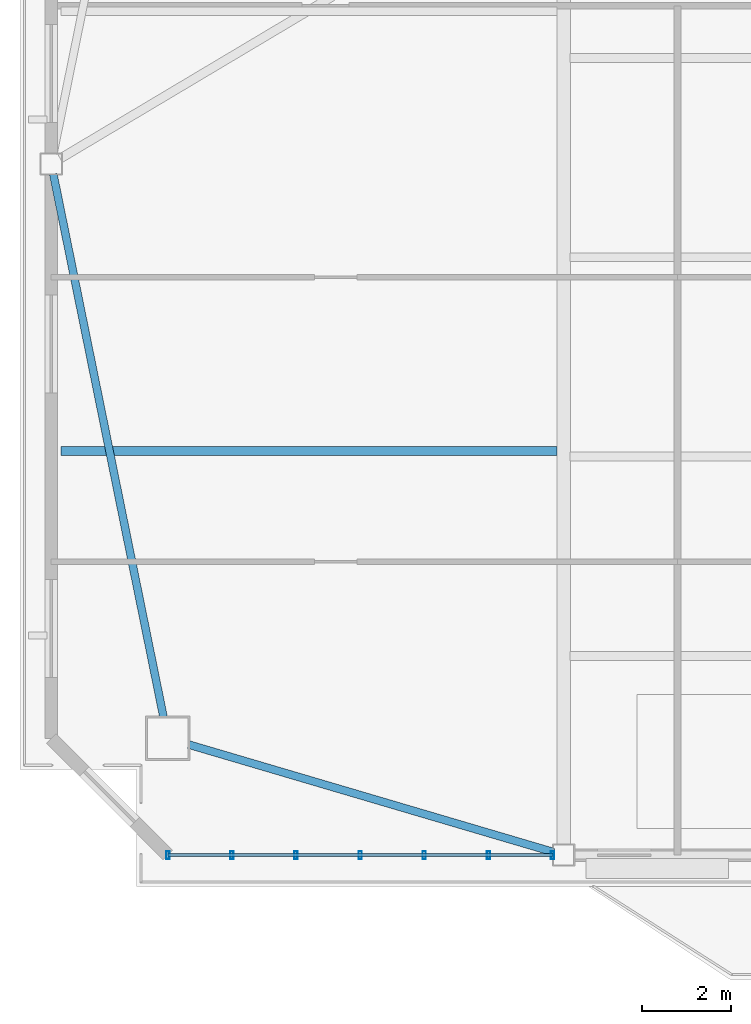
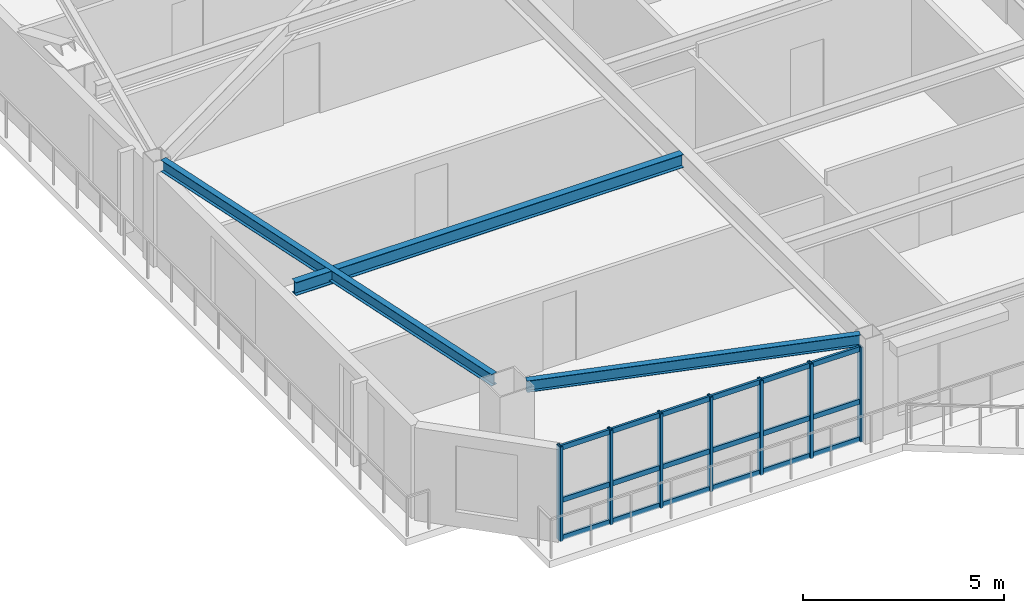
# One storey, part 2 of 17: 10 members, 3 beams, 1 element without a shape of its own.
"""IFC4 building model written with IfcOpenShell, lengths in metres."""

from ifc_helpers import new_model, si_unit, direction, frame, origin, origin_2d, place, context, subcontext, project, spatial, hollow_rectangle, i_section, extrude, source, transform, mapped, material, layer, layer_set, material_profile, profile_set, type_object, element, aggregate, save


model = new_model("IFC4")

# Units and contexts
model_context = context("Model", 3, precision=1e-05, world=origin(), true_north=direction((0.0, 1.0)))
body_context = subcontext(model_context, "Body", "Model", "MODEL_VIEW")
ifc_project = project(units=[si_unit("LENGTHUNIT", "METRE"), si_unit("AREAUNIT", "SQUARE_METRE"), si_unit("VOLUMEUNIT", "CUBIC_METRE"), si_unit("PLANEANGLEUNIT", "RADIAN"), si_unit("MASSUNIT", "GRAM", prefix="KILO")], contexts=[model_context])

# Site, building, storey
site_placement = place(None, origin())
site = spatial("IfcSite", under=ifc_project, at=site_placement, CompositionType="ELEMENT")
building_placement = place(site_placement, origin())
building = spatial("IfcBuilding", under=site, at=building_placement, Name="Giltprow Tower", CompositionType="ELEMENT")
storey_placement = place(building_placement, frame((0.0, 0.0, 248.5)))
storey = spatial("IfcBuildingStorey", under=building, at=storey_placement, Name="L63", CompositionType="ELEMENT", Elevation=248.5)

# Beams
ifc_material_1 = material(Name="Structural steel Q355B", Category="steel")
ifc_material_profile_1 = material_profile(ifc_material_1, i_section(OverallWidth=0.175048828125, OverallDepth=0.35009765625, WebThickness=0.007080078125, FlangeThickness=0.010986328125, at=origin_2d()), Name="HN 350x175x7x11")
ifc_profile_set_1 = profile_set([ifc_material_profile_1], Name="Structural steel Q355B")
beam_type_1 = type_object("IfcBeamType", Name="BM-SPAN-HN350", PredefinedType="SPANDREL", material=ifc_profile_set_1)
shared_shape_1 = source(origin(), body_context, "Body", "SweptSolid", [
    extrude(i_section(OverallWidth=0.175048828125, OverallDepth=0.35009765625, WebThickness=0.007080078125, FlangeThickness=0.010986328125, at=origin_2d()), origin(), (0.0, 0.0, 1.0), 8.529052734375),
])
beam_1_placement = place(storey_placement, frame((11.444091796875, 17.591064453125, 3.010009765625), z_axis=(0.959176127722, -0.282809398726, 0.0), x_axis=(0.282809398726, 0.959176127722, 0.0)))
element("IfcBeam", 1, at=beam_1_placement, inside=storey, type_object=beam_type_1, Name="L63 Perimeter Spandrel Beam MC_SW-S1", PredefinedType="SPANDREL", context=body_context, shape_type="MappedRepresentation", body=[
    mapped(shared_shape_1, transform((0.0, 0.0, 0.0), x_axis=(1.0, 0.0, 0.0), y_axis=(0.0, 1.0, 0.0), z_axis=(0.0, 0.0, 1.0), scale=1.0)),
])
shared_shape_2 = source(origin(), body_context, "Body", "SweptSolid", [
    extrude(i_section(OverallWidth=0.175048828125, OverallDepth=0.35009765625, WebThickness=0.007080078125, FlangeThickness=0.010986328125, at=origin_2d()), origin(), (0.0, 0.0, 1.0), 12.42236328125),
])
beam_2_placement = place(storey_placement, frame((8.410888671875, 30.376953125, 3.010009765625), z_axis=(0.198931044623, -0.98001348944, 0.0), x_axis=(0.98001348944, 0.198931044623, 0.0)))
element("IfcBeam", 2, at=beam_2_placement, inside=storey, type_object=beam_type_1, Name="L63 Perimeter Spandrel Beam W_MID-MC_SW", PredefinedType="SPANDREL", context=body_context, shape_type="MappedRepresentation", body=[
    mapped(shared_shape_2, transform((0.0, 0.0, 0.0), x_axis=(1.0, 0.0, 0.0), y_axis=(0.0, 1.0, 0.0), z_axis=(0.0, 0.0, 1.0), scale=1.0)),
])
ifc_material_profile_2 = material_profile(ifc_material_1, i_section(OverallWidth=0.199951171875, OverallDepth=0.39990234375, WebThickness=0.008056640625, FlangeThickness=0.012939453125, at=origin_2d()), Name="HN 400x200x8x13")
ifc_profile_set_2 = profile_set([ifc_material_profile_2], Name="Structural steel Q355B")
beam_type_2 = type_object("IfcBeamType", Name="BM-JOIST-HN400", PredefinedType="JOIST", material=ifc_profile_set_2)
shared_shape_3 = source(origin(), body_context, "Body", "SweptSolid", [
    extrude(i_section(OverallWidth=0.199951171875, OverallDepth=0.39990234375, WebThickness=0.008056640625, FlangeThickness=0.012939453125, at=origin_2d()), origin(), (0.0, 0.0, 1.0), 11.12109375),
])
beam_3_placement = place(storey_placement, frame((8.583984375, 24.16796875, 2.985107421875), z_axis=(1.0, 0.0, 0.0), x_axis=(0.0, 1.0, 0.0)))
element("IfcBeam", 3, at=beam_3_placement, inside=storey, type_object=beam_type_2, Name="L63 West Wing Floor Joist 1", PredefinedType="JOIST", context=body_context, shape_type="MappedRepresentation", body=[
    mapped(shared_shape_3, transform((0.0, 0.0, 0.0), x_axis=(1.0, 0.0, 0.0), y_axis=(0.0, 1.0, 0.0), z_axis=(0.0, 0.0, 1.0), scale=1.0)),
])

# Curtain wall, members
ifc_material_2 = material(Name="Anodized bronze", Category="metal")
ifc_layer = layer(ifc_material_2, 0.179931640625, Name="Anodized bronze")
ifc_layer_set = layer_set([ifc_layer], Name="Anodized bronze")
curtain_wall_type = type_object("IfcCurtainWallType", Name="CW-RES-SKY", PredefinedType="NOTDEFINED", material=ifc_layer_set)
curtain_wall_placement = place(storey_placement, origin())
curtain_wall = element("IfcCurtainWall", 4, at=curtain_wall_placement, inside=storey, type_object=curtain_wall_type, Name="L63 South Recessed Curtain Wall 1", PredefinedType="NOTDEFINED")
ifc_material_profile_3 = material_profile(ifc_material_2, hollow_rectangle(XDim=0.074951171875, YDim=0.179931640625, WallThickness=0.008056640625, at=origin_2d()), Name="RHS 180x75x8")
ifc_profile_set_3 = profile_set([ifc_material_profile_3], Name="Anodized bronze")
member_type_1 = type_object("IfcMemberType", Name="CW-MULLION-180x75", PredefinedType="MULLION", material=ifc_profile_set_3)
shared_shape_4 = source(origin(), body_context, "Body", "SweptSolid", [
    extrude(hollow_rectangle(XDim=0.074951171875, YDim=0.179931640625, WallThickness=0.008056640625, at=origin_2d()), origin(), (0.0, 0.0, 1.0), 2.8701171875),
])
member_1_placement = place(storey_placement, frame((10.97900390625, 15.113037109375, -0.02001953125), z_axis=(0.0, 0.0, 1.0), x_axis=(1.0, 0.0, 0.0)))
member_1 = element("IfcMember", 5, at=member_1_placement, type_object=member_type_1, Name="L63 South Recessed Curtain Wall 1 Mullion 1", PredefinedType="MULLION", context=body_context, shape_type="MappedRepresentation", body=[
    mapped(shared_shape_4, transform((0.0, 0.0, 0.0), x_axis=(1.0, 0.0, 0.0), y_axis=(0.0, 1.0, 0.0), z_axis=(0.0, 0.0, 1.0), scale=1.0)),
])
member_2_placement = place(storey_placement, frame((12.416015625, 15.113037109375, -0.02001953125), z_axis=(0.0, 0.0, 1.0), x_axis=(1.0, 0.0, 0.0)))
member_2 = element("IfcMember", 6, at=member_2_placement, type_object=member_type_1, Name="L63 South Recessed Curtain Wall 1 Mullion 2", PredefinedType="MULLION", context=body_context, shape_type="MappedRepresentation", body=[
    mapped(shared_shape_4, transform((0.0, 0.0, 0.0), x_axis=(1.0, 0.0, 0.0), y_axis=(0.0, 1.0, 0.0), z_axis=(0.0, 0.0, 1.0), scale=1.0)),
])
member_3_placement = place(storey_placement, frame((13.85302734375, 15.113037109375, -0.02001953125), z_axis=(0.0, 0.0, 1.0), x_axis=(1.0, 0.0, 0.0)))
member_3 = element("IfcMember", 7, at=member_3_placement, type_object=member_type_1, Name="L63 South Recessed Curtain Wall 1 Mullion 3", PredefinedType="MULLION", context=body_context, shape_type="MappedRepresentation", body=[
    mapped(shared_shape_4, transform((0.0, 0.0, 0.0), x_axis=(1.0, 0.0, 0.0), y_axis=(0.0, 1.0, 0.0), z_axis=(0.0, 0.0, 1.0), scale=1.0)),
])
member_4_placement = place(storey_placement, frame((15.2900390625, 15.113037109375, -0.02001953125), z_axis=(0.0, 0.0, 1.0), x_axis=(1.0, 0.0, 0.0)))
member_4 = element("IfcMember", 8, at=member_4_placement, type_object=member_type_1, Name="L63 South Recessed Curtain Wall 1 Mullion 4", PredefinedType="MULLION", context=body_context, shape_type="MappedRepresentation", body=[
    mapped(shared_shape_4, transform((0.0, 0.0, 0.0), x_axis=(1.0, 0.0, 0.0), y_axis=(0.0, 1.0, 0.0), z_axis=(0.0, 0.0, 1.0), scale=1.0)),
])
member_5_placement = place(storey_placement, frame((16.72607421875, 15.113037109375, -0.02001953125), z_axis=(0.0, 0.0, 1.0), x_axis=(1.0, 0.0, 0.0)))
member_5 = element("IfcMember", 9, at=member_5_placement, type_object=member_type_1, Name="L63 South Recessed Curtain Wall 1 Mullion 5", PredefinedType="MULLION", context=body_context, shape_type="MappedRepresentation", body=[
    mapped(shared_shape_4, transform((0.0, 0.0, 0.0), x_axis=(1.0, 0.0, 0.0), y_axis=(0.0, 1.0, 0.0), z_axis=(0.0, 0.0, 1.0), scale=1.0)),
])
member_6_placement = place(storey_placement, frame((18.1630859375, 15.113037109375, -0.02001953125), z_axis=(0.0, 0.0, 1.0), x_axis=(1.0, 0.0, 0.0)))
member_6 = element("IfcMember", 10, at=member_6_placement, type_object=member_type_1, Name="L63 South Recessed Curtain Wall 1 Mullion 6", PredefinedType="MULLION", context=body_context, shape_type="MappedRepresentation", body=[
    mapped(shared_shape_4, transform((0.0, 0.0, 0.0), x_axis=(1.0, 0.0, 0.0), y_axis=(0.0, 1.0, 0.0), z_axis=(0.0, 0.0, 1.0), scale=1.0)),
])
member_7_placement = place(storey_placement, frame((19.60009765625, 15.113037109375, -0.02001953125), z_axis=(0.0, 0.0, 1.0), x_axis=(1.0, 0.0, 0.0)))
member_7 = element("IfcMember", 11, at=member_7_placement, type_object=member_type_1, Name="L63 South Recessed Curtain Wall 1 Mullion 7", PredefinedType="MULLION", context=body_context, shape_type="MappedRepresentation", body=[
    mapped(shared_shape_4, transform((0.0, 0.0, 0.0), x_axis=(1.0, 0.0, 0.0), y_axis=(0.0, 1.0, 0.0), z_axis=(0.0, 0.0, 1.0), scale=1.0)),
])
ifc_material_profile_4 = material_profile(ifc_material_2, hollow_rectangle(XDim=0.06494140625, YDim=0.14990234375, WallThickness=0.006103515625, at=origin_2d()), Name="RHS 150x65x6")
ifc_profile_set_4 = profile_set([ifc_material_profile_4], Name="Anodized bronze")
member_type_2 = type_object("IfcMemberType", Name="CW-TRANSOM-150x65", PredefinedType="USERDEFINED", material=ifc_profile_set_4)
shared_shape_5 = source(origin(), body_context, "Body", "SweptSolid", [
    extrude(hollow_rectangle(XDim=0.06494140625, YDim=0.14990234375, WallThickness=0.006103515625, at=origin_2d()), origin(), (0.0, 0.0, 1.0), 8.62109375),
])
member_8_placement = place(storey_placement, frame((10.97900390625, 15.113037109375, 0.0400390625), z_axis=(1.0, 0.0, 0.0), x_axis=(0.0, 1.0, 0.0)))
member_8 = element("IfcMember", 12, at=member_8_placement, type_object=member_type_2, Name="L63 South Recessed Curtain Wall 1 Transom 1", ObjectType="TRANSOM", PredefinedType="USERDEFINED", context=body_context, shape_type="MappedRepresentation", body=[
    mapped(shared_shape_5, transform((0.0, 0.0, 0.0), x_axis=(1.0, 0.0, 0.0), y_axis=(0.0, 1.0, 0.0), z_axis=(0.0, 0.0, 1.0), scale=1.0)),
])
member_9_placement = place(storey_placement, frame((10.97900390625, 15.113037109375, 1.181884765625), z_axis=(1.0, 0.0, 0.0), x_axis=(0.0, 1.0, 0.0)))
member_9 = element("IfcMember", 13, at=member_9_placement, type_object=member_type_2, Name="L63 South Recessed Curtain Wall 1 Transom 2", ObjectType="TRANSOM", PredefinedType="USERDEFINED", context=body_context, shape_type="MappedRepresentation", body=[
    mapped(shared_shape_5, transform((0.0, 0.0, 0.0), x_axis=(1.0, 0.0, 0.0), y_axis=(0.0, 1.0, 0.0), z_axis=(0.0, 0.0, 1.0), scale=1.0)),
])
member_10_placement = place(storey_placement, frame((10.97900390625, 15.113037109375, 2.77490234375), z_axis=(1.0, 0.0, 0.0), x_axis=(0.0, 1.0, 0.0)))
member_10 = element("IfcMember", 14, at=member_10_placement, type_object=member_type_2, Name="L63 South Recessed Curtain Wall 1 Transom 3", ObjectType="TRANSOM", PredefinedType="USERDEFINED", context=body_context, shape_type="MappedRepresentation", body=[
    mapped(shared_shape_5, transform((0.0, 0.0, 0.0), x_axis=(1.0, 0.0, 0.0), y_axis=(0.0, 1.0, 0.0), z_axis=(0.0, 0.0, 1.0), scale=1.0)),
])
aggregate(curtain_wall, [member_1, member_2, member_3, member_4, member_5, member_6, member_7, member_8, member_9, member_10])

save(model, "model.ifc")
